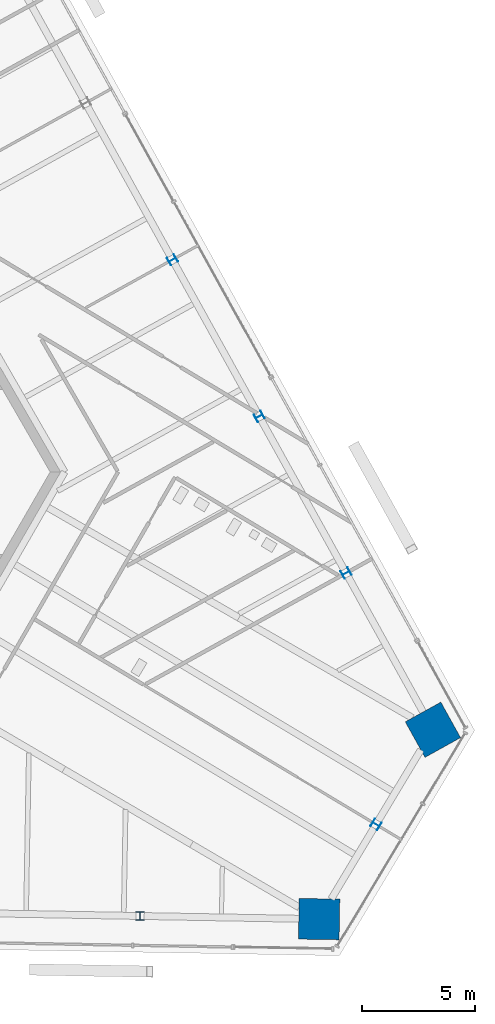
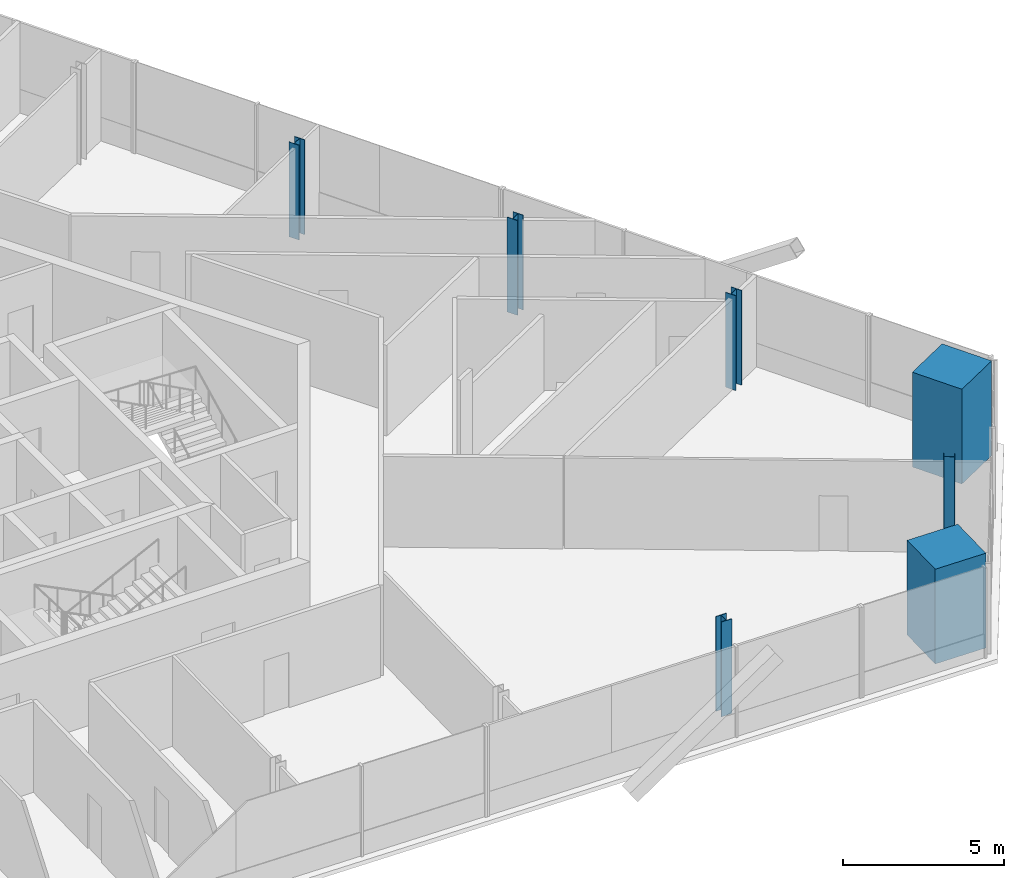
# One storey, part 2 of 19: 7 columns.
"""IFC4 building model written with IfcOpenShell, lengths in metres."""

from ifc_helpers import new_model, si_unit, direction, frame, origin, origin_2d, place, context, subcontext, project, spatial, rectangle, i_section, extrude, source, transform, mapped, material, material_profile, profile_set, type_object, element, save


model = new_model("IFC4")

# Units and contexts
model_context = context("Model", 3, precision=1e-05, world=origin(), true_north=direction((0.0, 1.0)))
body_context = subcontext(model_context, "Body", "Model", "MODEL_VIEW")
ifc_project = project(units=[si_unit("LENGTHUNIT", "METRE"), si_unit("AREAUNIT", "SQUARE_METRE"), si_unit("VOLUMEUNIT", "CUBIC_METRE"), si_unit("PLANEANGLEUNIT", "RADIAN"), si_unit("MASSUNIT", "GRAM", prefix="KILO")], contexts=[model_context])

# Site, building, storey
site_placement = place(None, origin())
site = spatial("IfcSite", under=ifc_project, at=site_placement, CompositionType="ELEMENT")
building_placement = place(site_placement, origin())
building = spatial("IfcBuilding", under=site, at=building_placement, Name="Triune Harvest Tower", CompositionType="ELEMENT")
storey_placement = place(building_placement, frame((0.0, 0.0, 205.10009765625)))
storey = spatial("IfcBuildingStorey", under=building, at=storey_placement, Name="L53", CompositionType="ELEMENT", Elevation=205.10009765625)

# Columns
ifc_material_1 = material(Name="Concrete 70 MPa", Category="concrete")
ifc_material_profile_1 = material_profile(ifc_material_1, rectangle(XDim=1.800048828125, YDim=1.800048828125, at=origin_2d()), Name="Composite 1800x1800")
ifc_profile_set_1 = profile_set([ifc_material_profile_1], Name="Concrete 70 MPa")
column_type_1 = type_object("IfcColumnType", Name="MC-5 Mega column Composite 1800x1800", PredefinedType="COLUMN", material=ifc_profile_set_1)
shared_shape_1 = source(origin(), body_context, "Body", "SweptSolid", [
    extrude(rectangle(XDim=1.800048828125, YDim=1.800048828125, at=origin_2d()), origin(), (0.0, 0.0, 1.0), 3.599853515625),
])
for number, where, z_axis, x_axis, name in (
    (1, (28.475341796875, -11.40673828125, 0.0), (0.0, 0.0, 1.0), (-0.484809620246, 0.874619707139, 0.0), "col/L53/M0"),
    (2, (23.43994140625, -19.787109375, 0.0), (0.0, 0.0, 1.0), (0.999847695156, -0.017452406437, 0.0), "col/L53/M22"),
):
    element("IfcColumn", number, at=place(storey_placement, frame(where, z_axis=z_axis, x_axis=x_axis)), inside=storey, type_object=column_type_1, Name=name, PredefinedType="COLUMN", context=body_context, shape_type="MappedRepresentation", body=[
        mapped(shared_shape_1, transform((0.0, 0.0, 0.0), scale=1.0)),
    ])
ifc_material_2 = material(Name="Steel ASTM A992 Gr 50", Category="steel")
ifc_material_profile_2 = material_profile(ifc_material_2, i_section(OverallWidth=0.370849609375, OverallDepth=0.36328125, WebThickness=0.013427734375, FlangeThickness=0.021728515625, at=origin_2d()), Name="W14x109")
ifc_profile_set_2 = profile_set([ifc_material_profile_2], Name="Steel ASTM A992 Gr 50")
column_type_2 = type_object("IfcColumnType", Name="PC-5 Perimeter column W14x109", PredefinedType="COLUMN", material=ifc_profile_set_2)
shared_shape_2 = source(origin(), body_context, "Body", "SweptSolid", [
    extrude(i_section(OverallWidth=0.370849609375, OverallDepth=0.36328125, WebThickness=0.013427734375, FlangeThickness=0.021728515625, at=origin_2d()), origin(), (0.0, 0.0, 1.0), 3.599853515625),
])
for number, where, z_axis, x_axis, name in (
    (3, (24.632080078125, -4.473388671875, 0.0), (0.0, 0.0, 1.0), (-0.484809620246, 0.874619707139, 0.0), "col/L53/P1"),
    (4, (20.788818359375, 2.459716796875, 0.0), (0.0, 0.0, 1.0), (-0.484809620246, 0.874619707139, 0.0), "col/L53/P2"),
    (5, (16.94580078125, 9.39306640625, 0.0), (0.0, 0.0, 1.0), (-0.484809620246, 0.874619707139, 0.0), "col/L53/P3"),
    (6, (15.513916015625, -19.648681640625, 0.0), (0.0, 0.0, 1.0), (0.999847695156, -0.017452406437, 0.0), "col/L53/P21"),
    (7, (25.95751953125, -15.596923828125, 0.0), (0.0, 0.0, 1.0), (0.515039570948, 0.85716640179, 0.0), "col/L53/P23"),
):
    element("IfcColumn", number, at=place(storey_placement, frame(where, z_axis=z_axis, x_axis=x_axis)), inside=storey, type_object=column_type_2, Name=name, PredefinedType="COLUMN", context=body_context, shape_type="MappedRepresentation", body=[
        mapped(shared_shape_2, transform((0.0, 0.0, 0.0), scale=1.0)),
    ])

save(model, "model.ifc")
